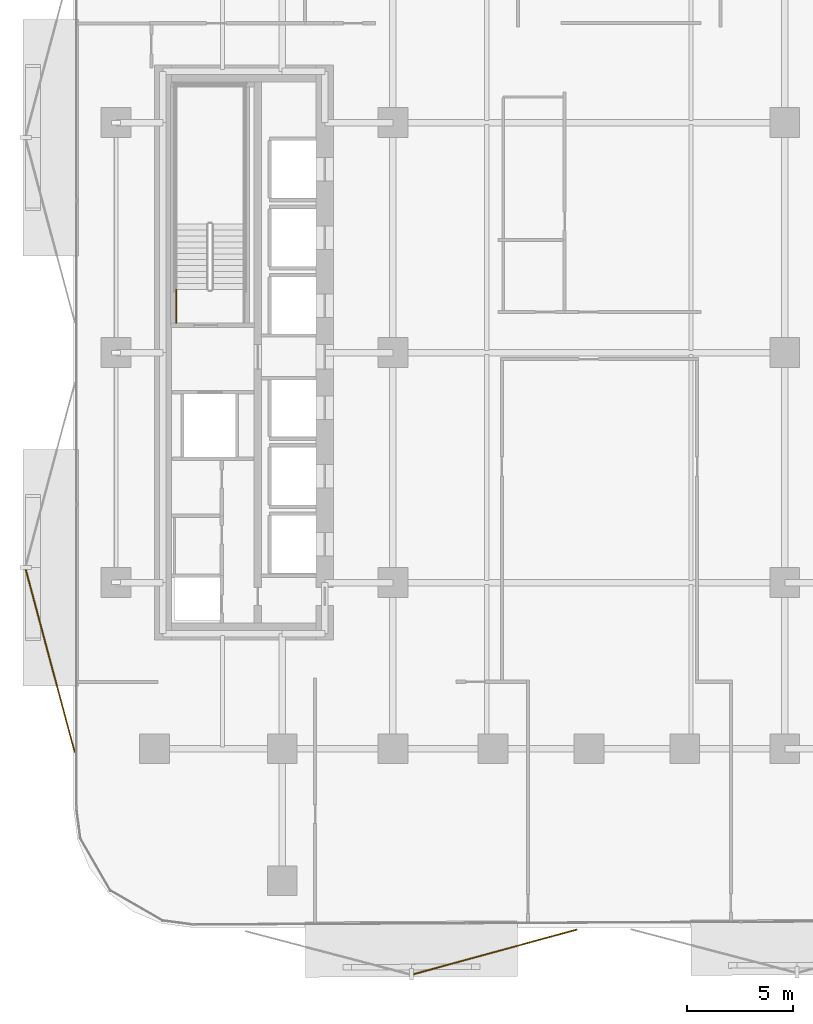
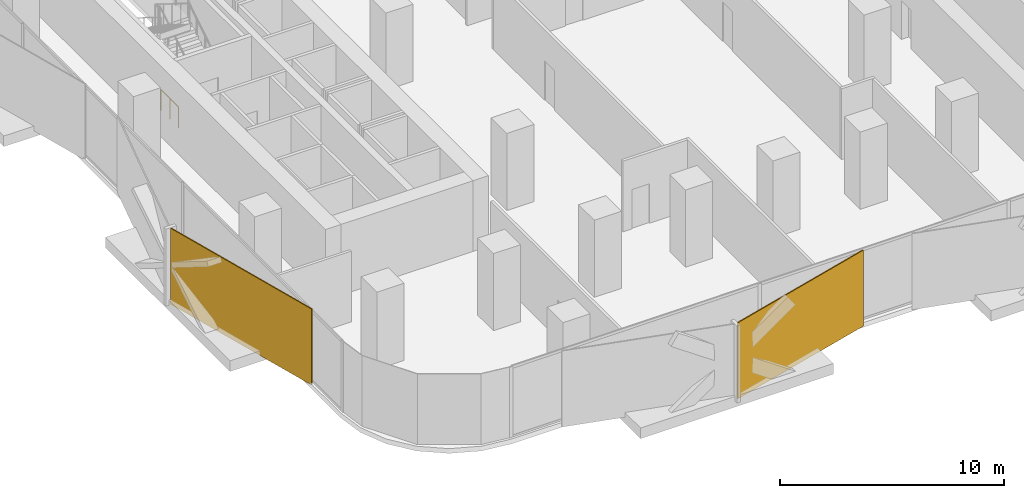
# One storey, part 12 of 16: 2 coverings, 1 railing.
"""IFC4 building model written with IfcOpenShell, lengths in metres."""

from ifc_helpers import new_model, si_unit, direction, frame, origin, origin_2d, place, context, subcontext, project, spatial, rectangle, circle, extrude, material, layer, layer_set, type_object, element, save


model = new_model("IFC4")

# Units and contexts
model_context = context("Model", 3, precision=1e-05, world=origin(), true_north=direction((0.0, 1.0)))
body_context = subcontext(model_context, "Body", "Model", "MODEL_VIEW")
ifc_project = project(units=[si_unit("LENGTHUNIT", "METRE"), si_unit("AREAUNIT", "SQUARE_METRE"), si_unit("VOLUMEUNIT", "CUBIC_METRE"), si_unit("PLANEANGLEUNIT", "RADIAN"), si_unit("MASSUNIT", "GRAM", prefix="KILO")], contexts=[model_context])

# Site, building, storey
site_placement = place(None, origin())
site = spatial("IfcSite", under=ifc_project, at=site_placement, CompositionType="ELEMENT")
building_placement = place(site_placement, origin())
building = spatial("IfcBuilding", under=site, at=building_placement, Name="Khairoan Windgate Tower", CompositionType="ELEMENT")
storey_placement = place(building_placement, frame((0.0, 0.0, 80.60009765625)))
storey = spatial("IfcBuildingStorey", under=building, at=storey_placement, Name="L19", CompositionType="ELEMENT", Elevation=80.60009765625)

# Coverings
ifc_material_1 = material(Name="Anodised Bronze Aluminium 6063-T6", Category="aluminium")
ifc_layer = layer(ifc_material_1, 0.054931640625, Name="Anodised Bronze Aluminium 6063-T6")
ifc_layer_set = layer_set([ifc_layer], Name="Anodised Bronze Aluminium 6063-T6")
covering_type = type_object("IfcCoveringType", Name="Perforated Bronze-Ceramic Folded Solar Screen Cladding BSC-1", PredefinedType="CLADDING", material=ifc_layer_set)
covering_1_placement = place(storey_placement, frame((-4.396484375, -28.140380859375, -0.10009765625), z_axis=(0.0, 0.0, 1.0), x_axis=(-0.964649468762, -0.263536339841, 0.0)))
element("IfcCovering", 1, at=covering_1_placement, inside=storey, type_object=covering_type, Name="L19 Folded Bronze Solar Screen Facet 106L", PredefinedType="CLADDING", context=body_context, shape_type="SweptSolid", body=[
    extrude(rectangle(XDim=7.965087890625, YDim=0.054931640625, at=origin_2d()), origin(), (0.0, 0.0, 1.0), 4.139892578125),
])
covering_2_placement = place(storey_placement, frame((-25.290283203125, -14.47607421875, -0.10009765625), z_axis=(0.0, 0.0, 1.0), x_axis=(-0.258819045103, 0.965925826289, 0.0)))
element("IfcCovering", 2, at=covering_2_placement, inside=storey, type_object=covering_type, Name="L19 Folded Bronze Solar Screen Facet 107L", PredefinedType="CLADDING", context=body_context, shape_type="SweptSolid", body=[
    extrude(rectangle(XDim=8.884033203125, YDim=0.054931640625, at=origin_2d()), origin(), (0.0, 0.0, 1.0), 4.139892578125),
])

# Railing
ifc_material_2 = material(Name="Steel S355", Category="steel")
railing_type = type_object("IfcRailingType", Name="Stairwell Safety Guardrail SGR-1150", PredefinedType="GUARDRAIL", material=ifc_material_2)
railing_placement = place(storey_placement, frame((-19.3701171875, 1.39990234375, 0.0)))
element("IfcRailing", 3, at=railing_placement, inside=storey, type_object=railing_type, Name="L19 ST2 stair guard 9", PredefinedType="GUARDRAIL", context=body_context, shape_type="SweptSolid", body=[
    extrude(circle(Radius=0.02392578125, at=origin_2d()), frame((0.0, 0.0, 1.1259765625), z_axis=(0.0, 1.0, 0.0), x_axis=(-1.0, 0.0, 0.0)), (0.0, 0.0, 1.0), 1.56005859375),
    extrude(circle(Radius=0.02099609375, at=origin_2d()), origin(), (0.0, 0.0, 1.0), 1.101806640625),
    extrude(circle(Radius=0.02099609375, at=origin_2d()), frame((0.0, 0.780029296875, 0.0)), (0.0, 0.0, 1.0), 1.101806640625),
    extrude(circle(Radius=0.02099609375, at=origin_2d()), frame((0.0, 1.56005859375, 0.0)), (0.0, 0.0, 1.0), 1.101806640625),
])

save(model, "model.ifc")
